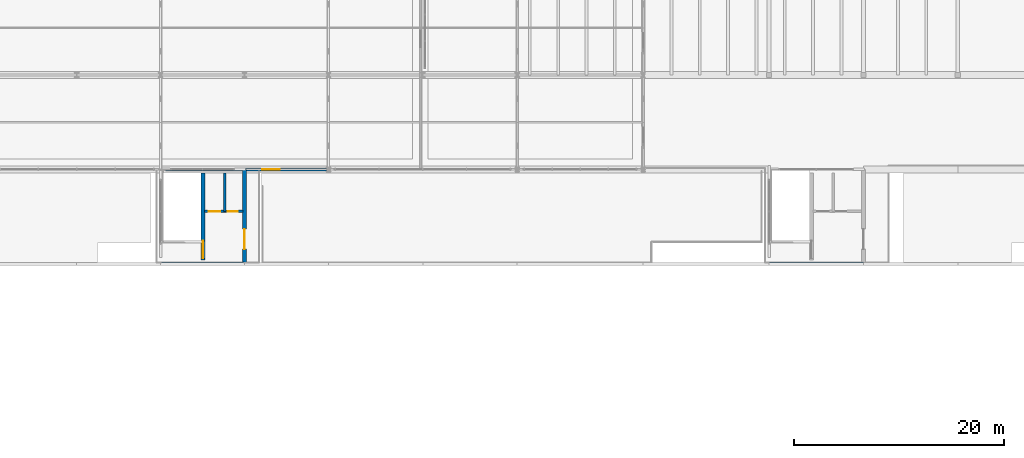
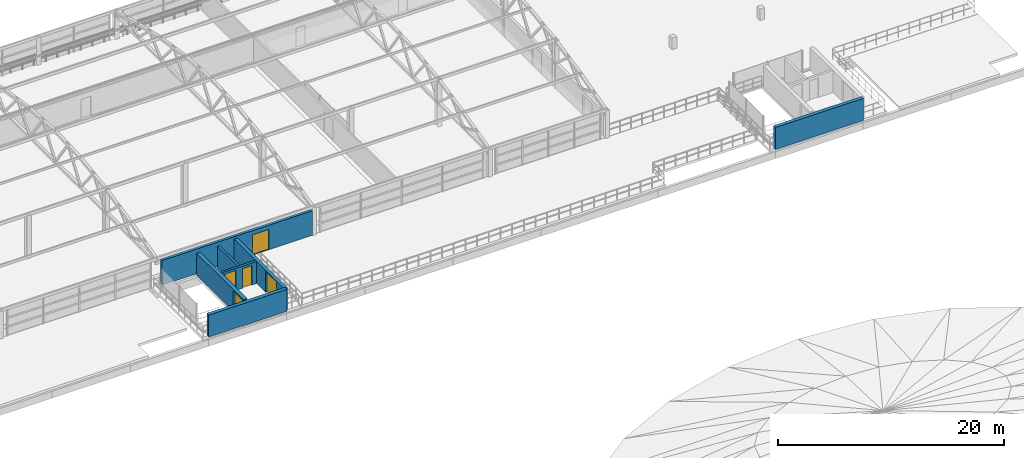
# One storey, part 36 of 50: 7 walls, 5 doors, 5 openings.
"""IFC4 building model written with IfcOpenShell, lengths in metres."""

from ifc_helpers import new_model, si_unit, derived_unit, direction, frame, frame_2d, origin, place, context, subcontext, project, spatial, rectangle, extrude, material, layer, layer_set, type_object, element, fill, save


model = new_model("IFC4")

# Units and contexts
model_context = context("Model", 3, precision=1e-05, world=origin(), true_north=direction((0.0, 1.0)))
body_context = subcontext(model_context, "Body", "Model", "MODEL_VIEW")
ifc_project = project(units=[si_unit("LENGTHUNIT", "METRE"), si_unit("AREAUNIT", "SQUARE_METRE"), si_unit("VOLUMEUNIT", "CUBIC_METRE"), si_unit("PLANEANGLEUNIT", "RADIAN"), si_unit("MASSUNIT", "GRAM", prefix="KILO"), si_unit("THERMODYNAMICTEMPERATUREUNIT", "KELVIN"), derived_unit("THERMALTRANSMITTANCEUNIT", [(si_unit("POWERUNIT", "WATT"), 1), (si_unit("AREAUNIT", "SQUARE_METRE"), -1), (si_unit("THERMODYNAMICTEMPERATUREUNIT", "KELVIN"), -1)])], contexts=[model_context])

# Site, building, storey
site_placement = place(None, origin())
site = spatial("IfcSite", under=ifc_project, at=site_placement, CompositionType="ELEMENT")
building_placement = place(site_placement, origin())
building = spatial("IfcBuilding", under=site, at=building_placement, Name="Haiyu Intermodal Mobility Hub", CompositionType="ELEMENT")
storey_placement = place(building_placement, frame((0.0, 0.0, 25.10009765625)))
storey = spatial("IfcBuildingStorey", under=building, at=storey_placement, Name="L06", CompositionType="ELEMENT", Elevation=25.10009765625)

# Wall, opening, door
ifc_material_1 = material(Name="Anodised aluminium 6063-T6", Category="aluminium")
ifc_layer_1 = layer(ifc_material_1, 0.280029296875)
ifc_layer_set_1 = layer_set([ifc_layer_1], Name="Anodised aluminium 6063-T6")
wall_type_1 = type_object("IfcWallType", Name="WAL-WE02", PredefinedType="STANDARD", material=ifc_layer_set_1)
wall_1_placement = place(storey_placement, frame((62.449951171875, 113.0, 0.0), z_axis=(0.0, 0.0, 1.0), x_axis=(1.0, 0.0, 0.0)))
wall_1 = element("IfcWall", 1, at=wall_1_placement, inside=storey, type_object=wall_type_1, Name="WAL-V3S-C5-257", PredefinedType="STANDARD", context=body_context, shape_type="SweptSolid", body=[
    extrude(rectangle(XDim=15.364990234375, YDim=0.280029296875, at=frame_2d((7.6826171875, 0.0))), origin(), (0.0, 0.0, 1.0), 2.64990234375),
])
opening_1_placement = place(wall_1_placement, frame((9.22998046875, 0.0, 0.0)))
opening_1 = element("IfcOpeningElement", 2, at=opening_1_placement, cuts=wall_1, Name="Opening DE07", PredefinedType="OPENING", context=body_context, shape_type="SweptSolid", body=[
    extrude(rectangle(XDim=1.699951171875, YDim=2.199951171875, at=frame_2d((0.85009765625, 1.10009765625))), frame((0.0, 0.14990234375, 0.0), z_axis=(0.0, -1.0, 0.0), x_axis=(1.0, 0.0, 0.0)), (0.0, 0.0, 1.0), 0.300048828125),
])
door_type_1 = type_object("IfcDoorType", Name="DR-DE07", OperationType="DOUBLE_DOOR_SINGLE_SWING", PredefinedType="DOOR", material=ifc_material_1)
door_1_placement = place(opening_1_placement, origin())
door_1 = element("IfcDoor", 3, at=door_1_placement, inside=storey, type_object=door_type_1, Name="WAL-V3S-C5-257-DR01", OperationType="DOUBLE_SWING_LEFT", OverallHeight=2.199951171875, OverallWidth=1.699951171875, PredefinedType="DOOR", context=body_context, shape_type="SweptSolid", body=[
    extrude(rectangle(XDim=1.699951171875, YDim=2.199951171875, at=frame_2d((0.85009765625, 1.10009765625))), frame((0.0, 0.02490234375, 0.0), z_axis=(0.0, -1.0, 0.0), x_axis=(1.0, 0.0, 0.0)), (0.0, 0.0, 1.0), 0.050048828125),
])
fill(opening_1, door_1)

# Wall
ifc_material_2 = material(Name="Autoclaved aerated concrete block A5.0", Category="concrete")
ifc_layer_2 = layer(ifc_material_2, 0.22998046875)
ifc_layer_set_2 = layer_set([ifc_layer_2], Name="Autoclaved aerated concrete block A5.0")
wall_type_2 = type_object("IfcWallType", Name="WAL-WI01", PredefinedType="PARTITIONING", material=ifc_layer_set_2)
wall_2_placement = place(storey_placement, frame((68.1298828125, 109.0, 0.0), z_axis=(0.0, 0.0, 1.0), x_axis=(0.0, 1.0, 0.0)))
element("IfcWall", 4, at=wall_2_placement, inside=storey, type_object=wall_type_2, Name="WAL-CORE-C5-LSH-L06", PredefinedType="PARTITIONING", context=body_context, shape_type="SweptSolid", body=[
    extrude(rectangle(XDim=3.64990234375, YDim=0.22998046875, at=frame_2d((1.824951171875, 0.0))), origin(), (0.0, 0.0, 1.0), 2.3798828125),
])

# Wall, openings, doors
wall_3_placement = place(storey_placement, frame((66.2099609375, 109.0, 0.0), z_axis=(0.0, 0.0, 1.0), x_axis=(1.0, 0.0, 0.0)))
wall_3 = element("IfcWall", 5, at=wall_3_placement, inside=storey, type_object=wall_type_2, Name="WAL-CORE-C5-LFT-L06", PredefinedType="PARTITIONING", context=body_context, shape_type="SweptSolid", body=[
    extrude(rectangle(XDim=3.630126953125, YDim=0.22998046875, at=frame_2d((1.81494140625, 0.0))), origin(), (0.0, 0.0, 1.0), 2.3798828125),
])
opening_2_placement = place(wall_3_placement, frame((0.3798828125, 0.0, 0.0)))
opening_2 = element("IfcOpeningElement", 6, at=opening_2_placement, cuts=wall_3, Name="Opening LD01", PredefinedType="OPENING", context=body_context, shape_type="SweptSolid", body=[
    extrude(rectangle(XDim=1.10009765625, YDim=2.14990234375, at=frame_2d((0.550048828125, 1.074951171875))), frame((0.0, 0.125, 0.0), z_axis=(0.0, -1.0, 0.0), x_axis=(1.0, 0.0, 0.0)), (0.0, 0.0, 1.0), 0.25),
])
opening_3_placement = place(wall_3_placement, frame((2.179931640625, 0.0, 0.0)))
opening_3 = element("IfcOpeningElement", 7, at=opening_3_placement, cuts=wall_3, Name="Opening DI07", PredefinedType="OPENING", context=body_context, shape_type="SweptSolid", body=[
    extrude(rectangle(XDim=0.949951171875, YDim=2.10009765625, at=frame_2d((0.47509765625, 1.050048828125))), frame((0.0, 0.125, 0.0), z_axis=(0.0, -1.0, 0.0), x_axis=(1.0, 0.0, 0.0)), (0.0, 0.0, 1.0), 0.25),
])
ifc_material_3 = material(Name="Steel Q355C", Category="steel")
door_type_2 = type_object("IfcDoorType", Name="DR-DI07", OperationType="NOTDEFINED", PredefinedType="DOOR", material=ifc_material_3)
door_2_placement = place(opening_3_placement, origin())
door_2 = element("IfcDoor", 8, at=door_2_placement, inside=storey, type_object=door_type_2, Name="Core C5 Accessible WC Door L06", OperationType="SINGLE_SWING_RIGHT", OverallHeight=2.10009765625, OverallWidth=0.949951171875, PredefinedType="DOOR", context=body_context, shape_type="SweptSolid", body=[
    extrude(rectangle(XDim=0.949951171875, YDim=2.10009765625, at=frame_2d((0.47509765625, 1.050048828125))), frame((0.0, 0.02490234375, 0.0), z_axis=(0.0, -1.0, 0.0), x_axis=(1.0, 0.0, 0.0)), (0.0, 0.0, 1.0), 0.050048828125),
])
fill(opening_3, door_2)
door_type_3 = type_object("IfcDoorType", Name="DR-LD01", OperationType="DOUBLE_DOOR_SLIDING", PredefinedType="DOOR", material=ifc_material_3)
door_3_placement = place(opening_2_placement, origin())
door_3 = element("IfcDoor", 9, at=door_3_placement, inside=storey, type_object=door_type_3, Name="Lift FL-02 Sliding Landing Door L06", OperationType="SLIDING_TO_LEFT", OverallHeight=2.14990234375, OverallWidth=1.10009765625, PredefinedType="DOOR", context=body_context, shape_type="SweptSolid", body=[
    extrude(rectangle(XDim=1.10009765625, YDim=2.14990234375, at=frame_2d((0.550048828125, 1.074951171875))), frame((0.0, 0.02490234375, 0.0), z_axis=(0.0, -1.0, 0.0), x_axis=(1.0, 0.0, 0.0)), (0.0, 0.0, 1.0), 0.050048828125),
])
fill(opening_2, door_3)

# Wall
ifc_material_4 = material(Name="Concrete C40", Category="concrete")
ifc_layer_3 = layer(ifc_material_4, 0.35009765625)
ifc_layer_set_3 = layer_set([ifc_layer_3], Name="Concrete C40")
wall_type_3 = type_object("IfcWallType", Name="WAL-WS02", PredefinedType="SHEAR", material=ifc_layer_set_3)
wall_4_placement = place(storey_placement, frame((62.0, 104.0, 0.0), z_axis=(0.0, 0.0, 1.0), x_axis=(1.0, 0.0, 0.0)))
element("IfcWall", 10, at=wall_4_placement, inside=storey, type_object=wall_type_3, Name="WAL-CORE-C5-S-L06", PredefinedType="SHEAR", context=body_context, shape_type="SweptSolid", body=[
    extrude(rectangle(XDim=8.0, YDim=0.35009765625, at=frame_2d((4.0, 0.0))), origin(), (0.0, 0.0, 1.0), 2.3798828125),
])

# Wall, opening, door
wall_5_placement = place(storey_placement, frame((70.0, 104.0, 0.0), z_axis=(0.0, 0.0, 1.0), x_axis=(0.0, 1.0, 0.0)))
wall_5 = element("IfcWall", 11, at=wall_5_placement, inside=storey, type_object=wall_type_3, Name="WAL-CORE-C5-E-L06", PredefinedType="SHEAR", context=body_context, shape_type="SweptSolid", body=[
    extrude(rectangle(XDim=9.0, YDim=0.35009765625, at=frame_2d((4.5, 0.0))), origin(), (0.0, 0.0, 1.0), 2.3798828125),
])
opening_4_placement = place(wall_5_placement, frame((1.39990234375, 0.0, 0.0)))
opening_4 = element("IfcOpeningElement", 12, at=opening_4_placement, cuts=wall_5, Name="Opening DI01", PredefinedType="OPENING", context=body_context, shape_type="SweptSolid", body=[
    extrude(rectangle(XDim=1.89990234375, YDim=2.300048828125, at=frame_2d((0.949951171875, 1.14990234375))), frame((0.0, 0.18505859375, 0.0), z_axis=(0.0, -1.0, 0.0), x_axis=(1.0, 0.0, 0.0)), (0.0, 0.0, 1.0), 0.3701171875),
])
door_type_4 = type_object("IfcDoorType", Name="DR-DI01", OperationType="DOUBLE_DOOR_SINGLE_SWING", PredefinedType="DOOR", material=ifc_material_3)
door_4_placement = place(opening_4_placement, origin())
door_4 = element("IfcDoor", 13, at=door_4_placement, inside=storey, type_object=door_type_4, Name="Core C5 Lobby Fire Door L06", OperationType="SINGLE_SWING_LEFT", OverallHeight=2.300048828125, OverallWidth=1.89990234375, PredefinedType="DOOR", context=body_context, shape_type="SweptSolid", body=[
    extrude(rectangle(XDim=1.89990234375, YDim=2.300048828125, at=frame_2d((0.949951171875, 1.14990234375))), frame((0.0, 0.02490234375, 0.0), z_axis=(0.0, -1.0, 0.0), x_axis=(1.0, 0.0, 0.0)), (0.0, 0.0, 1.0), 0.050048828125),
])
fill(opening_4, door_4)

# Wall
wall_6_placement = place(storey_placement, frame((120.0, 104.0, 0.0), z_axis=(0.0, 0.0, 1.0), x_axis=(1.0, 0.0, 0.0)))
element("IfcWall", 14, at=wall_6_placement, inside=storey, type_object=wall_type_3, Name="WAL-CORE-C6-S-L06", PredefinedType="SHEAR", context=body_context, shape_type="SweptSolid", body=[
    extrude(rectangle(XDim=9.0, YDim=0.35009765625, at=frame_2d((4.5, 0.0))), origin(), (0.0, 0.0, 1.0), 2.3798828125),
])

# Wall, opening, door
ifc_layer_4 = layer(ifc_material_4, 0.3798828125)
ifc_layer_set_4 = layer_set([ifc_layer_4], Name="Concrete C40")
wall_type_4 = type_object("IfcWallType", Name="WAL-WS03", PredefinedType="SHEAR", material=ifc_layer_set_4)
wall_7_placement = place(storey_placement, frame((66.050048828125, 104.35009765625, 0.0), z_axis=(0.0, 0.0, 1.0), x_axis=(0.0, 1.0, 0.0)))
wall_7 = element("IfcWall", 15, at=wall_7_placement, inside=storey, type_object=wall_type_4, Name="WAL-CORE-C5-MID-L06", PredefinedType="SHEAR", context=body_context, shape_type="SweptSolid", body=[
    extrude(rectangle(XDim=8.2998046875, YDim=0.3798828125, at=frame_2d((4.14990234375, 0.0))), origin(), (0.0, 0.0, 1.0), 2.3798828125),
])
opening_5_placement = place(wall_7_placement, frame((0.179931640625, 0.0, 0.0)))
opening_5 = element("IfcOpeningElement", 16, at=opening_5_placement, cuts=wall_7, Name="Opening DI02", PredefinedType="OPENING", context=body_context, shape_type="SweptSolid", body=[
    extrude(rectangle(XDim=1.64990234375, YDim=2.199951171875, at=frame_2d((0.824951171875, 1.10009765625))), frame((0.0, 0.199951171875, 0.0), z_axis=(0.0, -1.0, 0.0), x_axis=(1.0, 0.0, 0.0)), (0.0, 0.0, 1.0), 0.39990234375),
])
door_type_5 = type_object("IfcDoorType", Name="DR-DI02", OperationType="DOUBLE_DOOR_SINGLE_SWING", PredefinedType="DOOR", material=ifc_material_3)
door_5_placement = place(opening_5_placement, origin())
door_5 = element("IfcDoor", 17, at=door_5_placement, inside=storey, type_object=door_type_5, Name="Stair ST01 Fire Door L06", OperationType="SINGLE_SWING_LEFT", OverallHeight=2.199951171875, OverallWidth=1.64990234375, PredefinedType="DOOR", context=body_context, shape_type="SweptSolid", body=[
    extrude(rectangle(XDim=1.64990234375, YDim=2.199951171875, at=frame_2d((0.824951171875, 1.10009765625))), frame((0.0, 0.02490234375, 0.0), z_axis=(0.0, -1.0, 0.0), x_axis=(1.0, 0.0, 0.0)), (0.0, 0.0, 1.0), 0.050048828125),
])
fill(opening_5, door_5)

save(model, "model.ifc")
